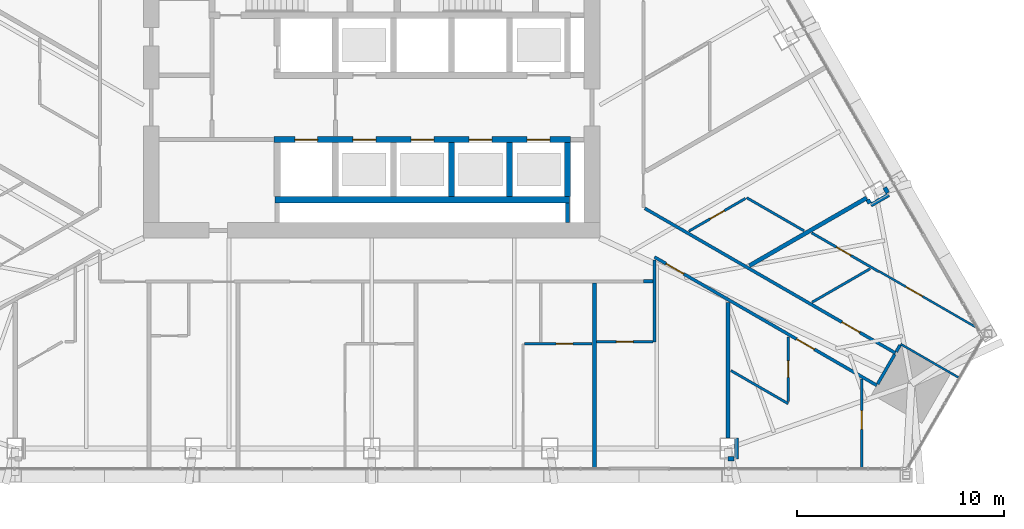
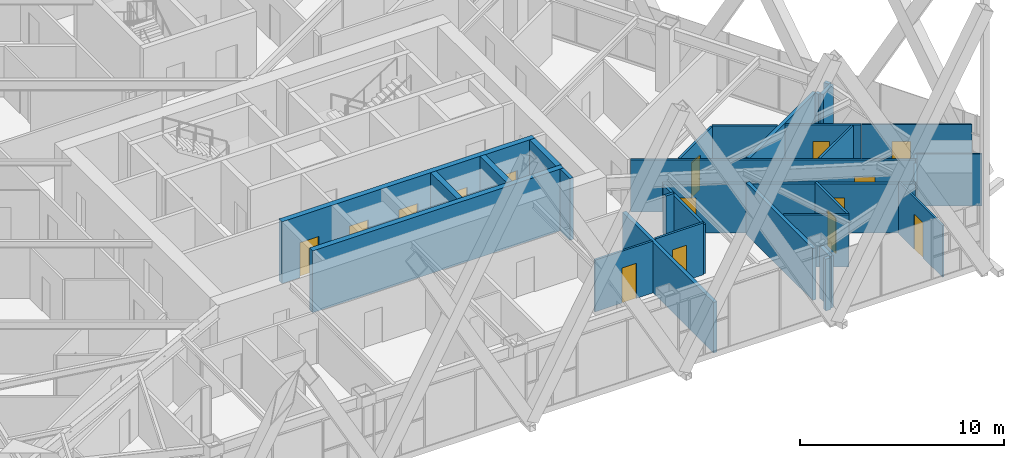
# One storey, part 19 of 23: 31 walls, 15 doors, 15 openings.
"""IFC4 building model written with IfcOpenShell, lengths in metres."""

from ifc_helpers import new_model, si_unit, direction, frame, frame_2d, origin, place, context, subcontext, project, spatial, rectangle, extrude, material, layer, layer_set, type_object, element, fill, save


model = new_model("IFC4")

# Units and contexts
model_context = context("Model", 3, precision=1e-05, world=origin(), true_north=direction((0.0, 1.0)))
body_context = subcontext(model_context, "Body", "Model", "MODEL_VIEW")
ifc_project = project(units=[si_unit("LENGTHUNIT", "METRE"), si_unit("AREAUNIT", "SQUARE_METRE"), si_unit("VOLUMEUNIT", "CUBIC_METRE"), si_unit("PLANEANGLEUNIT", "RADIAN"), si_unit("MASSUNIT", "GRAM", prefix="KILO")], contexts=[model_context])

# Site, building, storey
site_placement = place(None, origin())
site = spatial("IfcSite", under=ifc_project, at=site_placement, CompositionType="ELEMENT")
building_placement = place(site_placement, origin())
building = spatial("IfcBuilding", under=site, at=building_placement, Name="Firuza Gate Tower and Library", CompositionType="ELEMENT")
storey_placement = place(building_placement, frame((0.0, 0.0, 202.60009765625)))
storey = spatial("IfcBuildingStorey", under=building, at=storey_placement, Name="L47", CompositionType="ELEMENT", Elevation=202.60009765625)

# Walls
ifc_material_1 = material(Name="Plasterboard on steel studs", Category="steel")
ifc_layer_1 = layer(ifc_material_1, 0.199951171875)
ifc_layer_set_1 = layer_set([ifc_layer_1], Name="Core partition 200 EI 120")
wall_type_1 = type_object("IfcWallType", Name="Core partition 200 EI 120", PredefinedType="PARTITIONING", material=ifc_layer_set_1)
wall_1_placement = place(storey_placement, frame((84.449951171875, 67.75, 0.0), z_axis=(0.0, 0.0, 1.0), x_axis=(0.0, 1.0, 0.0)))
element("IfcWall", 1, at=wall_1_placement, inside=storey, type_object=wall_type_1, Name="Core partition L47 14", PredefinedType="PARTITIONING", context=body_context, shape_type="SweptSolid", body=[
    extrude(rectangle(XDim=0.949951171875, YDim=0.199951171875, at=frame_2d((0.47509765625, 0.0))), origin(), (0.0, 0.0, 1.0), 3.699951171875),
])
ifc_material_2 = material(Name="Concrete C80/95", Category="concrete")
ifc_layer_2 = layer(ifc_material_2, 0.300048828125)
ifc_layer_set_2 = layer_set([ifc_layer_2], Name="Core wall 300 C80/95")
wall_type_2 = type_object("IfcWallType", Name="Core wall 300 C80/95", PredefinedType="SHEAR", material=ifc_layer_set_2)
wall_2_placement = place(storey_placement, frame((70.35009765625, 68.85009765625, 0.0), z_axis=(0.0, 0.0, 1.0), x_axis=(1.0, 0.0, 0.0)))
element("IfcWall", 2, at=wall_2_placement, inside=storey, type_object=wall_type_2, Name="Core wall L47 5", PredefinedType="SHEAR", context=body_context, shape_type="SweptSolid", body=[
    extrude(rectangle(XDim=14.199951171875, YDim=0.300048828125, at=frame_2d((7.10009765625, 0.0))), origin(), (0.0, 0.0, 1.0), 3.699951171875),
])

# Wall, openings, doors
wall_3_placement = place(storey_placement, frame((70.300048828125, 71.75, 0.0), z_axis=(0.0, 0.0, 1.0), x_axis=(1.0, 0.0, 0.0)))
wall_3 = element("IfcWall", 3, at=wall_3_placement, inside=storey, type_object=wall_type_2, Name="Core wall L47 6", PredefinedType="SHEAR", context=body_context, shape_type="SweptSolid", body=[
    extrude(rectangle(XDim=14.300048828125, YDim=0.300048828125, at=frame_2d((7.14990234375, 0.0))), origin(), (0.0, 0.0, 1.0), 3.699951171875),
])
opening_1_placement = place(wall_3_placement, frame((1.0, 0.0, 0.0)))
opening_1 = element("IfcOpeningElement", 4, at=opening_1_placement, cuts=wall_3, Name="Opening LD-FF1-L47", PredefinedType="OPENING", context=body_context, shape_type="SweptSolid", body=[
    extrude(rectangle(XDim=1.10009765625, YDim=2.10009765625, at=frame_2d((0.550048828125, 1.050048828125))), frame((0.0, 0.16015625, 0.0), z_axis=(0.0, -1.0, 0.0), x_axis=(1.0, 0.0, 0.0)), (0.0, 0.0, 1.0), 0.320068359375),
])
opening_2_placement = place(wall_3_placement, frame((3.800048828125, 0.0, 0.0)))
opening_2 = element("IfcOpeningElement", 5, at=opening_2_placement, cuts=wall_3, Name="Opening LD-MR1-L47", PredefinedType="OPENING", context=body_context, shape_type="SweptSolid", body=[
    extrude(rectangle(XDim=1.10009765625, YDim=2.10009765625, at=frame_2d((0.550048828125, 1.050048828125))), frame((0.0, 0.16015625, 0.0), z_axis=(0.0, -1.0, 0.0), x_axis=(1.0, 0.0, 0.0)), (0.0, 0.0, 1.0), 0.320068359375),
])
opening_3_placement = place(wall_3_placement, frame((6.60009765625, 0.0, 0.0)))
opening_3 = element("IfcOpeningElement", 6, at=opening_3_placement, cuts=wall_3, Name="Opening LD-MR2-L47", PredefinedType="OPENING", context=body_context, shape_type="SweptSolid", body=[
    extrude(rectangle(XDim=1.10009765625, YDim=2.10009765625, at=frame_2d((0.550048828125, 1.050048828125))), frame((0.0, 0.16015625, 0.0), z_axis=(0.0, -1.0, 0.0), x_axis=(1.0, 0.0, 0.0)), (0.0, 0.0, 1.0), 0.320068359375),
])
opening_4_placement = place(wall_3_placement, frame((9.39990234375, 0.0, 0.0)))
opening_4 = element("IfcOpeningElement", 7, at=opening_4_placement, cuts=wall_3, Name="Opening LD-MR3-L47", PredefinedType="OPENING", context=body_context, shape_type="SweptSolid", body=[
    extrude(rectangle(XDim=1.10009765625, YDim=2.10009765625, at=frame_2d((0.550048828125, 1.050048828125))), frame((0.0, 0.16015625, 0.0), z_axis=(0.0, -1.0, 0.0), x_axis=(1.0, 0.0, 0.0)), (0.0, 0.0, 1.0), 0.320068359375),
])
opening_5_placement = place(wall_3_placement, frame((12.199951171875, 0.0, 0.0)))
opening_5 = element("IfcOpeningElement", 8, at=opening_5_placement, cuts=wall_3, Name="Opening LD-MR5-L47", PredefinedType="OPENING", context=body_context, shape_type="SweptSolid", body=[
    extrude(rectangle(XDim=1.10009765625, YDim=2.10009765625, at=frame_2d((0.550048828125, 1.050048828125))), frame((0.0, 0.16015625, 0.0), z_axis=(0.0, -1.0, 0.0), x_axis=(1.0, 0.0, 0.0)), (0.0, 0.0, 1.0), 0.320068359375),
])
ifc_material_3 = material(Name="Stainless steel", Category="steel")
door_type_1 = type_object("IfcDoorType", Name="Lift landing door 1100x2100", OperationType="DOUBLE_DOOR_SLIDING", PredefinedType="DOOR", material=ifc_material_3)
door_1_placement = place(opening_1_placement, origin())
door_1 = element("IfcDoor", 9, at=door_1_placement, inside=storey, type_object=door_type_1, Name="Landing door FF1 L47", OperationType="DOUBLE_DOOR_SLIDING", OverallHeight=2.10009765625, OverallWidth=1.10009765625, PredefinedType="DOOR", context=body_context, shape_type="SweptSolid", body=[
    extrude(rectangle(XDim=1.10009765625, YDim=2.10009765625, at=frame_2d((0.550048828125, 1.050048828125))), frame((0.0, 0.02490234375, 0.0), z_axis=(0.0, -1.0, 0.0), x_axis=(1.0, 0.0, 0.0)), (0.0, 0.0, 1.0), 0.050048828125),
])
fill(opening_1, door_1)
door_2_placement = place(opening_2_placement, origin())
door_2 = element("IfcDoor", 10, at=door_2_placement, inside=storey, type_object=door_type_1, Name="Landing door MR1 L47", OperationType="DOUBLE_DOOR_SLIDING", OverallHeight=2.10009765625, OverallWidth=1.10009765625, PredefinedType="DOOR", context=body_context, shape_type="SweptSolid", body=[
    extrude(rectangle(XDim=1.10009765625, YDim=2.10009765625, at=frame_2d((0.550048828125, 1.050048828125))), frame((0.0, 0.02490234375, 0.0), z_axis=(0.0, -1.0, 0.0), x_axis=(1.0, 0.0, 0.0)), (0.0, 0.0, 1.0), 0.050048828125),
])
fill(opening_2, door_2)
door_3_placement = place(opening_3_placement, origin())
door_3 = element("IfcDoor", 11, at=door_3_placement, inside=storey, type_object=door_type_1, Name="Landing door MR2 L47", OperationType="DOUBLE_DOOR_SLIDING", OverallHeight=2.10009765625, OverallWidth=1.10009765625, PredefinedType="DOOR", context=body_context, shape_type="SweptSolid", body=[
    extrude(rectangle(XDim=1.10009765625, YDim=2.10009765625, at=frame_2d((0.550048828125, 1.050048828125))), frame((0.0, 0.02490234375, 0.0), z_axis=(0.0, -1.0, 0.0), x_axis=(1.0, 0.0, 0.0)), (0.0, 0.0, 1.0), 0.050048828125),
])
fill(opening_3, door_3)
door_4_placement = place(opening_4_placement, origin())
door_4 = element("IfcDoor", 12, at=door_4_placement, inside=storey, type_object=door_type_1, Name="Landing door MR3 L47", OperationType="DOUBLE_DOOR_SLIDING", OverallHeight=2.10009765625, OverallWidth=1.10009765625, PredefinedType="DOOR", context=body_context, shape_type="SweptSolid", body=[
    extrude(rectangle(XDim=1.10009765625, YDim=2.10009765625, at=frame_2d((0.550048828125, 1.050048828125))), frame((0.0, 0.02490234375, 0.0), z_axis=(0.0, -1.0, 0.0), x_axis=(1.0, 0.0, 0.0)), (0.0, 0.0, 1.0), 0.050048828125),
])
fill(opening_4, door_4)
door_5_placement = place(opening_5_placement, origin())
door_5 = element("IfcDoor", 13, at=door_5_placement, inside=storey, type_object=door_type_1, Name="Landing door MR5 L47", OperationType="DOUBLE_DOOR_SLIDING", OverallHeight=2.10009765625, OverallWidth=1.10009765625, PredefinedType="DOOR", context=body_context, shape_type="SweptSolid", body=[
    extrude(rectangle(XDim=1.10009765625, YDim=2.10009765625, at=frame_2d((0.550048828125, 1.050048828125))), frame((0.0, 0.02490234375, 0.0), z_axis=(0.0, -1.0, 0.0), x_axis=(1.0, 0.0, 0.0)), (0.0, 0.0, 1.0), 0.050048828125),
])
fill(opening_5, door_5)

# Walls
for number, where, z_axis, x_axis, name in (
    (14, (78.85009765625, 69.0, 0.0), (0.0, 0.0, 1.0), (0.0, 1.0, 0.0), "Core wall L47 14"),
    (15, (81.64990234375, 69.0, 0.0), (0.0, 0.0, 1.0), (0.0, 1.0, 0.0), "Core wall L47 16"),
    (16, (84.449951171875, 69.0, 0.0), (0.0, 0.0, 1.0), (0.0, 1.0, 0.0), "Core wall L47 18"),
):
    element("IfcWall", number, at=place(storey_placement, frame(where, z_axis=z_axis, x_axis=x_axis)), inside=storey, type_object=wall_type_2, Name=name, PredefinedType="SHEAR", context=body_context, shape_type="SweptSolid", body=[
        extrude(rectangle(XDim=2.60009765625, YDim=0.300048828125, at=frame_2d((1.300048828125, 0.0))), origin(), (0.0, 0.0, 1.0), 3.699951171875),
    ])
ifc_material_4 = material(Name="Gypsum board partition")
ifc_layer_3 = layer(ifc_material_4, 0.14990234375)
ifc_layer_set_3 = layer_set([ifc_layer_3], Name="Corridor wall 150 double board on steel studs")
wall_type_3 = type_object("IfcWallType", Name="Corridor wall 150 double board on steel studs", PredefinedType="PARTITIONING", material=ifc_layer_set_3)
wall_4_placement = place(storey_placement, frame((88.10009765625, 64.9189453125, 0.0), z_axis=(0.0, 0.0, 1.0), x_axis=(1.0, 0.0, 0.0)))
element("IfcWall", 17, at=wall_4_placement, inside=storey, type_object=wall_type_3, Name="f:L47:w008", PredefinedType="PARTITIONING", context=body_context, shape_type="SweptSolid", body=[
    extrude(rectangle(XDim=0.467529296875, YDim=0.14990234375, at=frame_2d((0.23388671875, 0.0))), origin(), (0.0, 0.0, 1.0), 3.099853515625),
])
wall_5_placement = place(storey_placement, frame((99.397705078125, 59.9619140625, 0.0), z_axis=(0.0, 0.0, 1.0), x_axis=(0.499927431592, 0.866067297121, 0.0)))
element("IfcWall", 18, at=wall_5_placement, inside=storey, type_object=wall_type_3, Name="f:L47:w037", PredefinedType="PARTITIONING", context=body_context, shape_type="SweptSolid", body=[
    extrude(rectangle(XDim=1.649658203125, YDim=0.14990234375, at=frame_2d((0.82470703125, 0.0))), origin(), (0.0, 0.0, 1.0), 2.947021484375),
])
wall_6_placement = place(storey_placement, frame((88.64306640625, 62.0, 0.0), z_axis=(0.0, 0.0, 1.0), x_axis=(0.0, 1.0, 0.0)))
element("IfcWall", 19, at=wall_6_placement, inside=storey, type_object=wall_type_3, Name="f:L47:w044", PredefinedType="PARTITIONING", context=body_context, shape_type="SweptSolid", body=[
    extrude(rectangle(XDim=3.947265625, YDim=0.14990234375, at=frame_2d((1.9736328125, 0.0))), origin(), (0.0, 0.0, 1.0), 2.947021484375),
])

# Wall, opening, door
wall_7_placement = place(storey_placement, frame((88.175048828125, 68.4326171875, 0.0), z_axis=(0.0, 0.0, 1.0), x_axis=(0.866030582951, -0.499991029314, 0.0)))
wall_7 = element("IfcWall", 20, at=wall_7_placement, inside=storey, type_object=wall_type_3, Name="f:L47:w086", PredefinedType="PARTITIONING", context=body_context, shape_type="SweptSolid", body=[
    extrude(rectangle(XDim=13.953857421875, YDim=0.14990234375, at=frame_2d((6.97705078125, 0.0))), origin(), (0.0, 0.0, 1.0), 3.099853515625),
])
opening_6_placement = place(wall_7_placement, frame((10.967041015625, 0.0, 0.0)))
opening_6 = element("IfcOpeningElement", 21, at=opening_6_placement, cuts=wall_7, Name="Opening L47-41", PredefinedType="OPENING", context=body_context, shape_type="SweptSolid", body=[
    extrude(rectangle(XDim=1.0, YDim=2.10009765625, at=frame_2d((0.5, 1.050048828125))), frame((0.0, 0.0849609375, 0.0), z_axis=(0.0, -1.0, 0.0), x_axis=(1.0, 0.0, 0.0)), (0.0, 0.0, 1.0), 0.169921875),
])
ifc_material_5 = material(Name="Steel door and timber leaf", Category="steel")
door_type_2 = type_object("IfcDoorType", Name="Fire door 1000 x 2100 steel frame, timber leaf", OperationType="NOTDEFINED", PredefinedType="DOOR", material=ifc_material_5)
door_6_placement = place(opening_6_placement, origin())
door_6 = element("IfcDoor", 22, at=door_6_placement, inside=storey, type_object=door_type_2, Name="f:L47:d041", OperationType="SINGLE_SWING_LEFT", OverallHeight=2.10009765625, OverallWidth=1.0, PredefinedType="DOOR", context=body_context, shape_type="SweptSolid", body=[
    extrude(rectangle(XDim=1.0, YDim=2.10009765625, at=frame_2d((0.5, 1.050048828125))), frame((0.0, 0.02490234375, 0.0), z_axis=(0.0, -1.0, 0.0), x_axis=(1.0, 0.0, 0.0)), (0.0, 0.0, 1.0), 0.050048828125),
])
fill(opening_6, door_6)

# Wall, openings, doors
wall_8_placement = place(storey_placement, frame((99.359619140625, 59.89697265625, 0.0), z_axis=(0.0, 0.0, 1.0), x_axis=(-0.866029863972, 0.499992274648, 0.0)))
wall_8 = element("IfcWall", 23, at=wall_8_placement, inside=storey, type_object=wall_type_3, Name="f:L47:w087", PredefinedType="PARTITIONING", context=body_context, shape_type="SweptSolid", body=[
    extrude(rectangle(XDim=12.375244140625, YDim=0.14990234375, at=frame_2d((6.1875, 0.0))), origin(), (0.0, 0.0, 1.0), 2.947021484375),
])
opening_7_placement = place(wall_8_placement, frame((3.470458984375, 0.0, 0.0)))
opening_7 = element("IfcOpeningElement", 24, at=opening_7_placement, cuts=wall_8, Name="Opening L47-42", PredefinedType="OPENING", context=body_context, shape_type="SweptSolid", body=[
    extrude(rectangle(XDim=1.0, YDim=2.10009765625, at=frame_2d((0.5, 1.050048828125))), frame((0.0, 0.0849609375, 0.0), z_axis=(0.0, -1.0, 0.0), x_axis=(1.0, 0.0, 0.0)), (0.0, 0.0, 1.0), 0.169921875),
])
opening_8_placement = place(wall_8_placement, frame((10.740478515625, 0.0, 0.0)))
opening_8 = element("IfcOpeningElement", 25, at=opening_8_placement, cuts=wall_8, Name="Opening L47-43", PredefinedType="OPENING", context=body_context, shape_type="SweptSolid", body=[
    extrude(rectangle(XDim=1.0, YDim=2.10009765625, at=frame_2d((0.5, 1.050048828125))), frame((0.0, 0.0849609375, 0.0), z_axis=(0.0, -1.0, 0.0), x_axis=(1.0, 0.0, 0.0)), (0.0, 0.0, 1.0), 0.169921875),
])
door_7_placement = place(opening_7_placement, origin())
door_7 = element("IfcDoor", 26, at=door_7_placement, inside=storey, type_object=door_type_2, Name="f:L47:d042", OperationType="SINGLE_SWING_LEFT", OverallHeight=2.10009765625, OverallWidth=1.0, PredefinedType="DOOR", context=body_context, shape_type="SweptSolid", body=[
    extrude(rectangle(XDim=1.0, YDim=2.10009765625, at=frame_2d((0.5, 1.050048828125))), frame((0.0, 0.02490234375, 0.0), z_axis=(0.0, -1.0, 0.0), x_axis=(1.0, 0.0, 0.0)), (0.0, 0.0, 1.0), 0.050048828125),
])
fill(opening_7, door_7)
door_8_placement = place(opening_8_placement, origin())
door_8 = element("IfcDoor", 27, at=door_8_placement, inside=storey, type_object=door_type_2, Name="f:L47:d043", OperationType="SINGLE_SWING_LEFT", OverallHeight=2.10009765625, OverallWidth=1.0, PredefinedType="DOOR", context=body_context, shape_type="SweptSolid", body=[
    extrude(rectangle(XDim=1.0, YDim=2.10009765625, at=frame_2d((0.5, 1.050048828125))), frame((0.0, 0.02490234375, 0.0), z_axis=(0.0, -1.0, 0.0), x_axis=(1.0, 0.0, 0.0)), (0.0, 0.0, 1.0), 0.050048828125),
])
fill(opening_8, door_8)

# Walls
wall_9_placement = place(storey_placement, frame((100.297607421875, 61.5205078125, 0.0), z_axis=(0.0, 0.0, 1.0), x_axis=(0.499647160578, 0.866229019905, 0.0)))
element("IfcWall", 28, at=wall_9_placement, inside=storey, type_object=wall_type_3, Name="f:L47:w097", PredefinedType="PARTITIONING", context=body_context, shape_type="SweptSolid", body=[
    extrude(rectangle(XDim=0.374267578125, YDim=0.14990234375, at=frame_2d((0.18701171875, 0.0))), origin(), (0.0, 0.0, 1.0), 3.099853515625),
])
ifc_material_6 = material(Name="Gypsum board partition")
ifc_layer_4 = layer(ifc_material_6, 0.199951171875)
ifc_layer_set_4 = layer_set([ifc_layer_4], Name="Demising wall 200 acoustic double stud")
wall_type_4 = type_object("IfcWallType", Name="Demising wall 200 acoustic double stud", PredefinedType="PARTITIONING", material=ifc_layer_set_4)
wall_10_placement = place(storey_placement, frame((92.1875, 56.35791015625, 0.0), z_axis=(0.0, 0.0, 1.0), x_axis=(1.0, 0.0, 0.0)))
element("IfcWall", 29, at=wall_10_placement, inside=storey, type_object=wall_type_4, Name="f:L47:w001", PredefinedType="PARTITIONING", context=body_context, shape_type="SweptSolid", body=[
    extrude(rectangle(XDim=0.2900390625, YDim=0.199951171875, at=frame_2d((0.14501953125, 0.0))), origin(), (0.0, 0.0, 1.0), 3.099853515625),
])
wall_11_placement = place(storey_placement, frame((99.072509765625, 68.589599609375, 0.0), z_axis=(0.0, 0.0, 1.0), x_axis=(0.866039090965, 0.499976292358, 0.0)))
element("IfcWall", 30, at=wall_11_placement, inside=storey, type_object=wall_type_4, Name="f:L47:w019", PredefinedType="PARTITIONING", context=body_context, shape_type="SweptSolid", body=[
    extrude(rectangle(XDim=0.9990234375, YDim=0.199951171875, at=frame_2d((0.49951171875, 0.0))), origin(), (0.0, 0.0, 1.0), 3.099853515625),
])
wall_12_placement = place(storey_placement, frame((93.214599609375, 65.66943359375, 0.0), z_axis=(0.0, 0.0, 1.0), x_axis=(0.866021893259, 0.50000608036, 0.0)))
element("IfcWall", 31, at=wall_12_placement, inside=storey, type_object=wall_type_4, Name="f:L47:w020", PredefinedType="PARTITIONING", context=body_context, shape_type="SweptSolid", body=[
    extrude(rectangle(XDim=6.5322265625, YDim=0.199951171875, at=frame_2d((3.26611328125, 0.0))), origin(), (0.0, 0.0, 1.0), 3.099853515625),
])
wall_13_placement = place(storey_placement, frame((92.5869140625, 56.3583984375, 0.0), z_axis=(0.0, 0.0, 1.0), x_axis=(0.0, 1.0, 0.0)))
element("IfcWall", 32, at=wall_13_placement, inside=storey, type_object=wall_type_4, Name="f:L47:w040", PredefinedType="PARTITIONING", context=body_context, shape_type="SweptSolid", body=[
    extrude(rectangle(XDim=1.0, YDim=0.199951171875, at=frame_2d((0.5, 0.0))), origin(), (0.0, 0.0, 1.0), 3.099853515625),
])
wall_14_placement = place(storey_placement, frame((92.18701171875, 57.3583984375, 0.0), z_axis=(0.0, 0.0, 1.0), x_axis=(0.0, 1.0, 0.0)))
element("IfcWall", 33, at=wall_14_placement, inside=storey, type_object=wall_type_4, Name="f:L47:w041", PredefinedType="PARTITIONING", context=body_context, shape_type="SweptSolid", body=[
    extrude(rectangle(XDim=6.532470703125, YDim=0.199951171875, at=frame_2d((3.26611328125, 0.0))), origin(), (0.0, 0.0, 1.0), 3.099853515625),
])
wall_15_placement = place(storey_placement, frame((85.741943359375, 55.898193359375, 0.0), z_axis=(0.0, 0.0, 1.0), x_axis=(0.0, 1.0, 0.0)))
element("IfcWall", 34, at=wall_15_placement, inside=storey, type_object=wall_type_4, Name="f:L47:w046", PredefinedType="PARTITIONING", context=body_context, shape_type="SweptSolid", body=[
    extrude(rectangle(XDim=8.9267578125, YDim=0.199951171875, at=frame_2d((4.46337890625, 0.0))), origin(), (0.0, 0.0, 1.0), 3.02197265625),
])
wall_16_placement = place(storey_placement, frame((99.887939453125, 69.177001953125, 0.0), z_axis=(0.0, 0.0, 1.0), x_axis=(-0.500005339912, 0.866022320763, 0.0)))
element("IfcWall", 35, at=wall_16_placement, inside=storey, type_object=wall_type_4, Name="f:L47:w072", PredefinedType="PARTITIONING", context=body_context, shape_type="SweptSolid", body=[
    extrude(rectangle(XDim=0.298828125, YDim=0.199951171875, at=frame_2d((0.1494140625, 0.0))), origin(), (0.0, 0.0, 1.0), 3.099853515625),
])
wall_17_placement = place(storey_placement, frame((99.02197265625, 68.677001953125, 0.0), z_axis=(0.0, 0.0, 1.0), x_axis=(-0.4999705729, 0.866042392862, 0.0)))
element("IfcWall", 36, at=wall_17_placement, inside=storey, type_object=wall_type_4, Name="f:L47:w073", PredefinedType="PARTITIONING", context=body_context, shape_type="SweptSolid", body=[
    extrude(rectangle(XDim=0.19873046875, YDim=0.199951171875, at=frame_2d((0.099365234375, 0.0))), origin(), (0.0, 0.0, 1.0), 3.099853515625),
])

# Wall, opening, door
ifc_material_7 = material(Name="Gypsum board partition")
ifc_layer_5 = layer(ifc_material_7, 0.10009765625)
ifc_layer_set_5 = layer_set([ifc_layer_5], Name="Partition 100 gypsum board on steel studs")
wall_type_5 = type_object("IfcWallType", Name="Partition 100 gypsum board on steel studs", PredefinedType="PARTITIONING", material=ifc_layer_set_5)
wall_18_placement = place(storey_placement, frame((98.633056640625, 55.898193359375, 0.0), z_axis=(0.0, 0.0, 1.0), x_axis=(0.0, 1.0, 0.0)))
wall_18 = element("IfcWall", 37, at=wall_18_placement, inside=storey, type_object=wall_type_5, Name="f:L47:w038", PredefinedType="PARTITIONING", context=body_context, shape_type="SweptSolid", body=[
    extrude(rectangle(XDim=4.301513671875, YDim=0.10009765625, at=frame_2d((2.15087890625, 0.0))), origin(), (0.0, 0.0, 1.0), 3.099853515625),
])
opening_9_placement = place(wall_18_placement, frame((1.880859375, 0.0, 0.0)))
opening_9 = element("IfcOpeningElement", 38, at=opening_9_placement, cuts=wall_18, Name="Opening L47-21", PredefinedType="OPENING", context=body_context, shape_type="SweptSolid", body=[
    extrude(rectangle(XDim=0.89990234375, YDim=2.10009765625, at=frame_2d((0.449951171875, 1.050048828125))), frame((0.0, 0.06005859375, 0.0), z_axis=(0.0, -1.0, 0.0), x_axis=(1.0, 0.0, 0.0)), (0.0, 0.0, 1.0), 0.1201171875),
])
ifc_material_8 = material(Name="Timber door", Category="wood")
door_type_3 = type_object("IfcDoorType", Name="Door 900 x 2100 timber leaf", OperationType="NOTDEFINED", PredefinedType="DOOR", material=ifc_material_8)
door_9_placement = place(opening_9_placement, origin())
door_9 = element("IfcDoor", 39, at=door_9_placement, inside=storey, type_object=door_type_3, Name="f:L47:d021", OperationType="SINGLE_SWING_LEFT", OverallHeight=2.10009765625, OverallWidth=0.89990234375, PredefinedType="DOOR", context=body_context, shape_type="SweptSolid", body=[
    extrude(rectangle(XDim=0.89990234375, YDim=2.10009765625, at=frame_2d((0.449951171875, 1.050048828125))), frame((0.0, 0.02490234375, 0.0), z_axis=(0.0, -1.0, 0.0), x_axis=(1.0, 0.0, 0.0)), (0.0, 0.0, 1.0), 0.050048828125),
])
fill(opening_9, door_9)

wall_19_placement = place(storey_placement, frame((99.475341796875, 65.39453125, 0.0), z_axis=(0.0, 0.0, 1.0), x_axis=(0.866018196172, -0.500012483742, 0.0)))
wall_19 = element("IfcWall", 40, at=wall_19_placement, inside=storey, type_object=wall_type_5, Name="f:L47:w081", PredefinedType="PARTITIONING", context=body_context, shape_type="SweptSolid", body=[
    extrude(rectangle(XDim=5.416259765625, YDim=0.10009765625, at=frame_2d((2.7080078125, 0.0))), origin(), (0.0, 0.0, 1.0), 3.099853515625),
])
opening_10_placement = place(wall_19_placement, frame((1.502685546875, 0.0, 0.0)))
opening_10 = element("IfcOpeningElement", 41, at=opening_10_placement, cuts=wall_19, Name="Opening L47-39", PredefinedType="OPENING", context=body_context, shape_type="SweptSolid", body=[
    extrude(rectangle(XDim=0.89990234375, YDim=2.10009765625, at=frame_2d((0.449951171875, 1.050048828125))), frame((0.0, 0.06005859375, 0.0), z_axis=(0.0, -1.0, 0.0), x_axis=(1.0, 0.0, 0.0)), (0.0, 0.0, 1.0), 0.1201171875),
])
door_10_placement = place(opening_10_placement, origin())
door_10 = element("IfcDoor", 42, at=door_10_placement, inside=storey, type_object=door_type_3, Name="f:L47:d039", OperationType="SINGLE_SWING_RIGHT", OverallHeight=2.10009765625, OverallWidth=0.89990234375, PredefinedType="DOOR", context=body_context, shape_type="SweptSolid", body=[
    extrude(rectangle(XDim=0.89990234375, YDim=2.10009765625, at=frame_2d((0.449951171875, 1.050048828125))), frame((0.0, 0.02490234375, 0.0), z_axis=(0.0, -1.0, 0.0), x_axis=(1.0, 0.0, 0.0)), (0.0, 0.0, 1.0), 0.050048828125),
])
fill(opening_10, door_10)

# Wall
wall_20_placement = place(storey_placement, frame((103.333251953125, 60.258544921875, 0.0), z_axis=(0.0, 0.0, 1.0), x_axis=(-0.866035906198, 0.499981808845, 0.0)))
element("IfcWall", 43, at=wall_20_placement, inside=storey, type_object=wall_type_5, Name="f:L47:w085", PredefinedType="PARTITIONING", context=body_context, shape_type="SweptSolid", body=[
    extrude(rectangle(XDim=3.25927734375, YDim=0.10009765625, at=frame_2d((1.629638671875, 0.0))), origin(), (0.0, 0.0, 1.0), 3.099853515625),
])

# Wall, opening, door
ifc_material_9 = material(Name="Gypsum board partition")
ifc_layer_6 = layer(ifc_material_9, 0.1201171875)
ifc_layer_set_6 = layer_set([ifc_layer_6], Name="Wet-area partition 120 moisture-resistant board")
wall_type_6 = type_object("IfcWallType", Name="Wet-area partition 120 moisture-resistant board", PredefinedType="PARTITIONING", material=ifc_layer_set_6)
wall_21_placement = place(storey_placement, frame((82.36474609375, 61.89990234375, 0.0), z_axis=(0.0, 0.0, 1.0), x_axis=(1.0, 0.0, 0.0)))
wall_21 = element("IfcWall", 44, at=wall_21_placement, inside=storey, type_object=wall_type_6, Name="f:L47:w003", PredefinedType="PARTITIONING", context=body_context, shape_type="SweptSolid", body=[
    extrude(rectangle(XDim=3.267333984375, YDim=0.1201171875, at=frame_2d((1.6337890625, 0.0))), origin(), (0.0, 0.0, 1.0), 3.099853515625),
])
opening_11_placement = place(wall_21_placement, frame((1.533447265625, 0.0, 0.0)))
opening_11 = element("IfcOpeningElement", 45, at=opening_11_placement, cuts=wall_21, Name="Opening L47-02", PredefinedType="OPENING", context=body_context, shape_type="SweptSolid", body=[
    extrude(rectangle(XDim=0.800048828125, YDim=2.10009765625, at=frame_2d((0.39990234375, 1.050048828125))), frame((0.0, 0.070068359375, 0.0), z_axis=(0.0, -1.0, 0.0), x_axis=(1.0, 0.0, 0.0)), (0.0, 0.0, 1.0), 0.14013671875),
])
ifc_material_10 = material(Name="Timber door", Category="wood")
door_type_4 = type_object("IfcDoorType", Name="Door 800 x 2100 timber leaf", OperationType="NOTDEFINED", PredefinedType="DOOR", material=ifc_material_10)
door_11_placement = place(opening_11_placement, origin())
door_11 = element("IfcDoor", 46, at=door_11_placement, inside=storey, type_object=door_type_4, Name="f:L47:d002", OperationType="SINGLE_SWING_RIGHT", OverallHeight=2.10009765625, OverallWidth=0.800048828125, PredefinedType="DOOR", context=body_context, shape_type="SweptSolid", body=[
    extrude(rectangle(XDim=0.800048828125, YDim=2.10009765625, at=frame_2d((0.39990234375, 1.050048828125))), frame((0.0, 0.02490234375, 0.0), z_axis=(0.0, -1.0, 0.0), x_axis=(1.0, 0.0, 0.0)), (0.0, 0.0, 1.0), 0.050048828125),
])
fill(opening_11, door_11)

wall_22_placement = place(storey_placement, frame((85.84228515625, 62.0, 0.0), z_axis=(0.0, 0.0, 1.0), x_axis=(1.0, 0.0, 0.0)))
wall_22 = element("IfcWall", 47, at=wall_22_placement, inside=storey, type_object=wall_type_6, Name="f:L47:w005", PredefinedType="PARTITIONING", context=body_context, shape_type="SweptSolid", body=[
    extrude(rectangle(XDim=2.725341796875, YDim=0.1201171875, at=frame_2d((1.36279296875, 0.0))), origin(), (0.0, 0.0, 1.0), 3.099853515625),
])
opening_12_placement = place(wall_22_placement, frame((0.962646484375, 0.0, 0.0)))
opening_12 = element("IfcOpeningElement", 48, at=opening_12_placement, cuts=wall_22, Name="Opening L47-03", PredefinedType="OPENING", context=body_context, shape_type="SweptSolid", body=[
    extrude(rectangle(XDim=0.800048828125, YDim=2.10009765625, at=frame_2d((0.39990234375, 1.050048828125))), frame((0.0, 0.070068359375, 0.0), z_axis=(0.0, -1.0, 0.0), x_axis=(1.0, 0.0, 0.0)), (0.0, 0.0, 1.0), 0.14013671875),
])
door_12_placement = place(opening_12_placement, origin())
door_12 = element("IfcDoor", 49, at=door_12_placement, inside=storey, type_object=door_type_4, Name="f:L47:d003", OperationType="SINGLE_SWING_RIGHT", OverallHeight=2.10009765625, OverallWidth=0.800048828125, PredefinedType="DOOR", context=body_context, shape_type="SweptSolid", body=[
    extrude(rectangle(XDim=0.800048828125, YDim=2.10009765625, at=frame_2d((0.39990234375, 1.050048828125))), frame((0.0, 0.02490234375, 0.0), z_axis=(0.0, -1.0, 0.0), x_axis=(1.0, 0.0, 0.0)), (0.0, 0.0, 1.0), 0.050048828125),
])
fill(opening_12, door_12)

# Wall
wall_23_placement = place(storey_placement, frame((96.2373046875, 63.904296875, 0.0), z_axis=(0.0, 0.0, 1.0), x_axis=(0.86605210011, 0.499953757757, 0.0)))
element("IfcWall", 50, at=wall_23_placement, inside=storey, type_object=wall_type_6, Name="f:L47:w018", PredefinedType="PARTITIONING", context=body_context, shape_type="SweptSolid", body=[
    extrude(rectangle(XDim=3.228271484375, YDim=0.1201171875, at=frame_2d((1.6142578125, 0.0))), origin(), (0.0, 0.0, 1.0), 3.099853515625),
])

# Wall, opening, door
wall_24_placement = place(storey_placement, frame((93.027099609375, 68.910888671875, 0.0), z_axis=(0.0, 0.0, 1.0), x_axis=(-0.866028267601, -0.499995039691, 0.0)))
wall_24 = element("IfcWall", 51, at=wall_24_placement, inside=storey, type_object=wall_type_6, Name="f:L47:w021", PredefinedType="PARTITIONING", context=body_context, shape_type="SweptSolid", body=[
    extrude(rectangle(XDim=3.15283203125, YDim=0.1201171875, at=frame_2d((1.576416015625, 0.0))), origin(), (0.0, 0.0, 1.0), 3.099853515625),
])
opening_13_placement = place(wall_24_placement, frame((1.17626953125, 0.0, 0.0)))
opening_13 = element("IfcOpeningElement", 52, at=opening_13_placement, cuts=wall_24, Name="Opening L47-13", PredefinedType="OPENING", context=body_context, shape_type="SweptSolid", body=[
    extrude(rectangle(XDim=0.800048828125, YDim=2.10009765625, at=frame_2d((0.39990234375, 1.050048828125))), frame((0.0, 0.070068359375, 0.0), z_axis=(0.0, -1.0, 0.0), x_axis=(1.0, 0.0, 0.0)), (0.0, 0.0, 1.0), 0.14013671875),
])
door_13_placement = place(opening_13_placement, origin())
door_13 = element("IfcDoor", 53, at=door_13_placement, inside=storey, type_object=door_type_4, Name="f:L47:d013", OperationType="SINGLE_SWING_LEFT", OverallHeight=2.10009765625, OverallWidth=0.800048828125, PredefinedType="DOOR", context=body_context, shape_type="SweptSolid", body=[
    extrude(rectangle(XDim=0.800048828125, YDim=2.10009765625, at=frame_2d((0.39990234375, 1.050048828125))), frame((0.0, 0.02490234375, 0.0), z_axis=(0.0, -1.0, 0.0), x_axis=(1.0, 0.0, 0.0)), (0.0, 0.0, 1.0), 0.050048828125),
])
fill(opening_13, door_13)

wall_25_placement = place(storey_placement, frame((95.087890625, 59.123779296875, 0.0), z_axis=(0.0, 0.0, 1.0), x_axis=(0.0, 1.0, 0.0)))
wall_25 = element("IfcWall", 54, at=wall_25_placement, inside=storey, type_object=wall_type_6, Name="f:L47:w039", PredefinedType="PARTITIONING", context=body_context, shape_type="SweptSolid", body=[
    extrude(rectangle(XDim=3.112548828125, YDim=0.1201171875, at=frame_2d((1.55615234375, 0.0))), origin(), (0.0, 0.0, 1.0), 3.099853515625),
])
opening_14_placement = place(wall_25_placement, frame((1.156494140625, 0.0, 0.0)))
opening_14 = element("IfcOpeningElement", 55, at=opening_14_placement, cuts=wall_25, Name="Opening L47-22", PredefinedType="OPENING", context=body_context, shape_type="SweptSolid", body=[
    extrude(rectangle(XDim=0.800048828125, YDim=2.10009765625, at=frame_2d((0.39990234375, 1.050048828125))), frame((0.0, 0.070068359375, 0.0), z_axis=(0.0, -1.0, 0.0), x_axis=(1.0, 0.0, 0.0)), (0.0, 0.0, 1.0), 0.14013671875),
])
door_14_placement = place(opening_14_placement, origin())
door_14 = element("IfcDoor", 56, at=door_14_placement, inside=storey, type_object=door_type_4, Name="f:L47:d022", OperationType="SINGLE_SWING_RIGHT", OverallHeight=2.10009765625, OverallWidth=0.800048828125, PredefinedType="DOOR", context=body_context, shape_type="SweptSolid", body=[
    extrude(rectangle(XDim=0.800048828125, YDim=2.10009765625, at=frame_2d((0.39990234375, 1.050048828125))), frame((0.0, 0.02490234375, 0.0), z_axis=(0.0, -1.0, 0.0), x_axis=(1.0, 0.0, 0.0)), (0.0, 0.0, 1.0), 0.050048828125),
])
fill(opening_14, door_14)

wall_26_placement = place(storey_placement, frame((99.455810546875, 65.384033203125, 0.0), z_axis=(0.0, 0.0, 1.0), x_axis=(-0.866053838069, 0.49995074714, 0.0)))
wall_26 = element("IfcWall", 57, at=wall_26_placement, inside=storey, type_object=wall_type_6, Name="f:L47:w082", PredefinedType="PARTITIONING", context=body_context, shape_type="SweptSolid", body=[
    extrude(rectangle(XDim=3.73388671875, YDim=0.1201171875, at=frame_2d((1.866943359375, 0.0))), origin(), (0.0, 0.0, 1.0), 3.099853515625),
])
opening_15_placement = place(wall_26_placement, frame((1.556396484375, 0.0, 0.0)))
opening_15 = element("IfcOpeningElement", 58, at=opening_15_placement, cuts=wall_26, Name="Opening L47-40", PredefinedType="OPENING", context=body_context, shape_type="SweptSolid", body=[
    extrude(rectangle(XDim=0.800048828125, YDim=2.10009765625, at=frame_2d((0.39990234375, 1.050048828125))), frame((0.0, 0.070068359375, 0.0), z_axis=(0.0, -1.0, 0.0), x_axis=(1.0, 0.0, 0.0)), (0.0, 0.0, 1.0), 0.14013671875),
])
door_15_placement = place(opening_15_placement, origin())
door_15 = element("IfcDoor", 59, at=door_15_placement, inside=storey, type_object=door_type_4, Name="f:L47:d040", OperationType="SINGLE_SWING_RIGHT", OverallHeight=2.10009765625, OverallWidth=0.800048828125, PredefinedType="DOOR", context=body_context, shape_type="SweptSolid", body=[
    extrude(rectangle(XDim=0.800048828125, YDim=2.10009765625, at=frame_2d((0.39990234375, 1.050048828125))), frame((0.0, 0.02490234375, 0.0), z_axis=(0.0, -1.0, 0.0), x_axis=(1.0, 0.0, 0.0)), (0.0, 0.0, 1.0), 0.050048828125),
])
fill(opening_15, door_15)

# Walls
wall_27_placement = place(storey_placement, frame((95.852783203125, 67.3486328125, 0.0), z_axis=(0.0, 0.0, 1.0), x_axis=(-0.866032814021, 0.499987164874, 0.0)))
element("IfcWall", 60, at=wall_27_placement, inside=storey, type_object=wall_type_6, Name="f:L47:w083", PredefinedType="PARTITIONING", context=body_context, shape_type="SweptSolid", body=[
    extrude(rectangle(XDim=3.193359375, YDim=0.1201171875, at=frame_2d((1.5966796875, 0.0))), origin(), (0.0, 0.0, 1.0), 3.099853515625),
])
wall_28_placement = place(storey_placement, frame((95.087890625, 59.014404296875, 0.0), z_axis=(0.0, 0.0, 1.0), x_axis=(-0.865999709858, 0.500044500546, 0.0)))
element("IfcWall", 61, at=wall_28_placement, inside=storey, type_object=wall_type_6, Name="f:L47:w089", PredefinedType="PARTITIONING", context=body_context, shape_type="SweptSolid", body=[
    extrude(rectangle(XDim=3.193603515625, YDim=0.1201171875, at=frame_2d((1.5966796875, 0.0))), origin(), (0.0, 0.0, 1.0), 3.099853515625),
])

save(model, "model.ifc")
